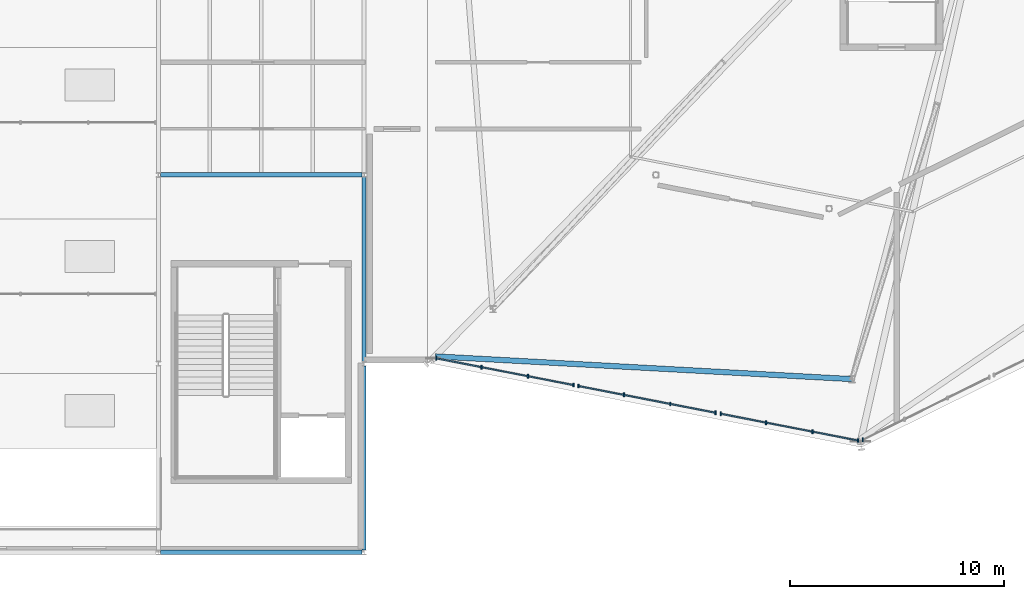
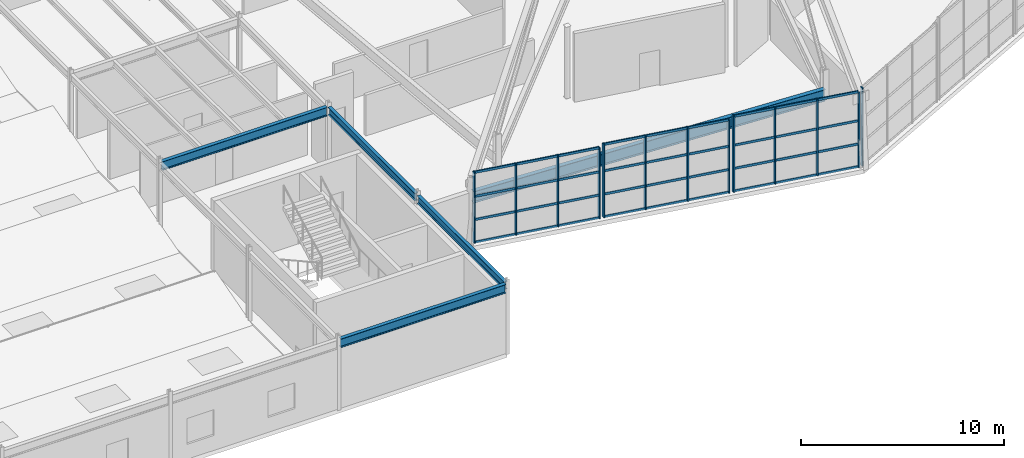
# One storey, part 13 of 50: 25 members, 5 beams, 4 elements without a shape of their own.
"""IFC4 building model written with IfcOpenShell, lengths in metres."""

from ifc_helpers import new_model, si_unit, direction, frame, origin, origin_2d, place, context, subcontext, project, spatial, rectangle, i_section, extrude, material, material_profile, profile_set, type_object, element, aggregate, save


model = new_model("IFC4")

# Units and contexts
model_context = context("Model", 3, precision=1e-05, world=origin(), true_north=direction((0.0, 1.0)))
body_context = subcontext(model_context, "Body", "Model", "MODEL_VIEW")
ifc_project = project(units=[si_unit("LENGTHUNIT", "METRE"), si_unit("AREAUNIT", "SQUARE_METRE"), si_unit("VOLUMEUNIT", "CUBIC_METRE"), si_unit("PLANEANGLEUNIT", "RADIAN"), si_unit("MASSUNIT", "GRAM", prefix="KILO")], contexts=[model_context])

# Site, building, storey
site_placement = place(None, origin())
site = spatial("IfcSite", under=ifc_project, at=site_placement, CompositionType="ELEMENT")
building_placement = place(site_placement, origin())
building = spatial("IfcBuilding", under=site, at=building_placement, Name="Sarnbrook Museum", CompositionType="ELEMENT")
storey_placement = place(building_placement, frame((0.0, 0.0, 28.10009765625)))
storey = spatial("IfcBuildingStorey", under=building, at=storey_placement, Name="L05", CompositionType="ELEMENT", Elevation=28.10009765625)

# Beams
ifc_material_1 = material(Name="Structural Steel Grade 300PLUS (AS/NZS 3679.1, fy = 280 MPa for 17 < t <= 40 mm, 300 MPa for t <= 17 mm)", Category="steel")
ifc_material_profile_1 = material_profile(ifc_material_1, i_section(OverallWidth=0.18994140625, OverallDepth=0.45703125, WebThickness=0.009033203125, FlangeThickness=0.014404296875, FilletRadius=0.011474609375, at=origin_2d()), Name="460UB74.6")
ifc_profile_set_1 = profile_set([ifc_material_profile_1], Name="Structural Steel Grade 300PLUS (AS/NZS 3679.1, fy = 280 MPa for 17 < t <= 40 mm, 300 MPa for t <= 17 mm)")
beam_type_1 = type_object("IfcBeamType", Name="BM-UB460", PredefinedType="BEAM", material=ifc_profile_set_1)
beam_1_placement = place(storey_placement, frame((119.199951171875, 56.905029296875, 4.021484375), z_axis=(0.0, 1.0, 0.0), x_axis=(-1.0, 0.0, 0.0)))
element("IfcBeam", 1, at=beam_1_placement, inside=storey, type_object=beam_type_1, Name="Girder 13:G-H L05", PredefinedType="BEAM", context=body_context, shape_type="SweptSolid", body=[
    extrude(i_section(OverallWidth=0.18994140625, OverallDepth=0.45703125, WebThickness=0.009033203125, FlangeThickness=0.014404296875, FilletRadius=0.011474609375, at=origin_2d()), origin(), (0.0, 0.0, 1.0), 8.590087890625),
])
beam_2_placement = place(storey_placement, frame((119.199951171875, 65.705078125, 4.021484375), z_axis=(0.0, 1.0, 0.0), x_axis=(-1.0, 0.0, 0.0)))
element("IfcBeam", 2, at=beam_2_placement, inside=storey, type_object=beam_type_1, Name="Girder 13:H-J L05", PredefinedType="BEAM", context=body_context, shape_type="SweptSolid", body=[
    extrude(i_section(OverallWidth=0.18994140625, OverallDepth=0.45703125, WebThickness=0.009033203125, FlangeThickness=0.014404296875, FilletRadius=0.011474609375, at=origin_2d()), origin(), (0.0, 0.0, 1.0), 8.58984375),
])
ifc_material_profile_2 = material_profile(ifc_material_1, i_section(OverallWidth=0.208984375, OverallDepth=0.532958984375, WebThickness=0.01025390625, FlangeThickness=0.015625, FilletRadius=0.013916015625, at=origin_2d()), Name="530UB92.4")
ifc_profile_set_2 = profile_set([ifc_material_profile_2], Name="Structural Steel Grade 300PLUS (AS/NZS 3679.1, fy = 280 MPa for 17 < t <= 40 mm, 300 MPa for t <= 17 mm)")
beam_type_2 = type_object("IfcBeamType", Name="BM-UB530", PredefinedType="BEAM", material=ifc_profile_set_2)
for number, where, z_axis, x_axis, name in (
    (3, (109.702392578125, 56.800048828125, 3.9833984375), (1.0, 0.0, 0.0), (0.0, 1.0, 0.0), "Girder G:12-13 L05"),
    (4, (109.702392578125, 74.39990234375, 3.9833984375), (1.0, 0.0, 0.0), (0.0, 1.0, 0.0), "Girder J:12-13 L05"),
):
    element("IfcBeam", number, at=place(storey_placement, frame(where, z_axis=z_axis, x_axis=x_axis)), inside=storey, type_object=beam_type_2, Name=name, PredefinedType="BEAM", context=body_context, shape_type="SweptSolid", body=[
        extrude(i_section(OverallWidth=0.208984375, OverallDepth=0.532958984375, WebThickness=0.01025390625, FlangeThickness=0.015625, FilletRadius=0.013916015625, at=origin_2d()), origin(), (0.0, 0.0, 1.0), 9.39501953125),
    ])
ifc_material_2 = material(Name="Structural Steel Grade 350L0 (AS/NZS 3678, fy = 340 MPa for 20 < t <= 40 mm)", Category="steel")
ifc_material_profile_3 = material_profile(ifc_material_2, i_section(OverallWidth=0.25, OverallDepth=0.699951171875, WebThickness=0.010009765625, FlangeThickness=0.01611328125, at=origin_2d()), Name="700WB130")
ifc_profile_set_3 = profile_set([ifc_material_profile_3], Name="Structural Steel Grade 350L0 (AS/NZS 3678, fy = 340 MPa for 20 < t <= 40 mm)")
beam_type_3 = type_object("IfcBeamType", Name="BM-WB700", PredefinedType="BEAM", material=ifc_profile_set_3)
beam_3_placement = place(storey_placement, frame((122.524169921875, 65.938720703125, 2.75), z_axis=(0.998511909687, -0.05453408304, 0.0), x_axis=(0.05453408304, 0.998511909687, 0.0)))
element("IfcBeam", 5, at=beam_3_placement, inside=storey, type_object=beam_type_3, Name="Crystal Roof Eaves Tie Girder ST-1", PredefinedType="BEAM", context=body_context, shape_type="SweptSolid", body=[
    extrude(i_section(OverallWidth=0.25, OverallDepth=0.699951171875, WebThickness=0.010009765625, FlangeThickness=0.01611328125, at=origin_2d()), origin(), (0.0, 0.0, 1.0), 19.4609375),
])

# Curtain wall, members
ifc_material_3 = material(Name="Thermally Broken Anodised Aluminium 6063-T6", Category="aluminium")
curtain_wall_type = type_object("IfcCurtainWallType", Name="CurtainWall_CrystalFacet", PredefinedType="NOTDEFINED", material=ifc_material_3)
curtain_wall_1_placement = place(storey_placement, origin())
curtain_wall_1 = element("IfcCurtainWall", 6, at=curtain_wall_1_placement, inside=storey, type_object=curtain_wall_type, Name="Crystal Hall Facet Curtain Wall L05-F1.1", PredefinedType="NOTDEFINED")
ifc_material_profile_4 = material_profile(ifc_material_3, rectangle(XDim=0.06494140625, YDim=0.179931640625, at=origin_2d()), Name="ALU MULLION 65x180")
ifc_profile_set_4 = profile_set([ifc_material_profile_4], Name="Thermally Broken Anodised Aluminium 6063-T6")
member_type_1 = type_object("IfcMemberType", Name="CW_Mullion_180x75", PredefinedType="MULLION", material=ifc_profile_set_4)
member_1_placement = place(storey_placement, frame((122.55908203125, 65.847412109375, 0.0), z_axis=(0.0, 0.0, 1.0), x_axis=(1.0, 0.0, 0.0)))
member_1 = element("IfcMember", 7, at=member_1_placement, type_object=member_type_1, Name="Crystal Hall Facet Curtain Wall L05-F1.1 Mullion 1", PredefinedType="MULLION", context=body_context, shape_type="SweptSolid", body=[
    extrude(rectangle(XDim=0.06494140625, YDim=0.179931640625, at=origin_2d()), origin(), (0.0, 0.0, 1.0), 4.27978515625),
])
member_2_placement = place(storey_placement, frame((124.678955078125, 65.434326171875, 0.0), z_axis=(0.0, 0.0, 1.0), x_axis=(1.0, 0.0, 0.0)))
member_2 = element("IfcMember", 8, at=member_2_placement, type_object=member_type_1, Name="Crystal Hall Facet Curtain Wall L05-F1.1 Mullion 2", PredefinedType="MULLION", context=body_context, shape_type="SweptSolid", body=[
    extrude(rectangle(XDim=0.06494140625, YDim=0.179931640625, at=origin_2d()), origin(), (0.0, 0.0, 1.0), 4.27978515625),
])
member_3_placement = place(storey_placement, frame((126.837890625, 65.013427734375, 0.0), z_axis=(0.0, 0.0, 1.0), x_axis=(1.0, 0.0, 0.0)))
member_3 = element("IfcMember", 9, at=member_3_placement, type_object=member_type_1, Name="Crystal Hall Facet Curtain Wall L05-F1.1 Mullion 3", PredefinedType="MULLION", context=body_context, shape_type="SweptSolid", body=[
    extrude(rectangle(XDim=0.06494140625, YDim=0.179931640625, at=origin_2d()), origin(), (0.0, 0.0, 1.0), 4.27978515625),
])
member_4_placement = place(storey_placement, frame((128.957763671875, 64.600341796875, 0.0), z_axis=(0.0, 0.0, 1.0), x_axis=(1.0, 0.0, 0.0)))
member_4 = element("IfcMember", 10, at=member_4_placement, type_object=member_type_1, Name="Crystal Hall Facet Curtain Wall L05-F1.1 Mullion 4", PredefinedType="MULLION", context=body_context, shape_type="SweptSolid", body=[
    extrude(rectangle(XDim=0.06494140625, YDim=0.179931640625, at=origin_2d()), origin(), (0.0, 0.0, 1.0), 4.27978515625),
])

curtain_wall_2_placement = place(storey_placement, origin())
curtain_wall_2 = element("IfcCurtainWall", 11, at=curtain_wall_2_placement, inside=storey, type_object=curtain_wall_type, Name="Crystal Hall Facet Curtain Wall L05-F1.2", PredefinedType="NOTDEFINED")
member_5_placement = place(storey_placement, frame((129.193359375, 64.554443359375, 0.0), z_axis=(0.0, 0.0, 1.0), x_axis=(1.0, 0.0, 0.0)))
member_5 = element("IfcMember", 12, at=member_5_placement, type_object=member_type_1, Name="Crystal Hall Facet Curtain Wall L05-F1.2 Mullion 1", PredefinedType="MULLION", context=body_context, shape_type="SweptSolid", body=[
    extrude(rectangle(XDim=0.06494140625, YDim=0.179931640625, at=origin_2d()), origin(), (0.0, 0.0, 1.0), 4.429931640625),
])
member_6_placement = place(storey_placement, frame((131.313232421875, 64.141357421875, 0.0), z_axis=(0.0, 0.0, 1.0), x_axis=(1.0, 0.0, 0.0)))
member_6 = element("IfcMember", 13, at=member_6_placement, type_object=member_type_1, Name="Crystal Hall Facet Curtain Wall L05-F1.2 Mullion 2", PredefinedType="MULLION", context=body_context, shape_type="SweptSolid", body=[
    extrude(rectangle(XDim=0.06494140625, YDim=0.179931640625, at=origin_2d()), origin(), (0.0, 0.0, 1.0), 4.429931640625),
])
member_7_placement = place(storey_placement, frame((133.47216796875, 63.720458984375, 0.0), z_axis=(0.0, 0.0, 1.0), x_axis=(1.0, 0.0, 0.0)))
member_7 = element("IfcMember", 14, at=member_7_placement, type_object=member_type_1, Name="Crystal Hall Facet Curtain Wall L05-F1.2 Mullion 3", PredefinedType="MULLION", context=body_context, shape_type="SweptSolid", body=[
    extrude(rectangle(XDim=0.06494140625, YDim=0.179931640625, at=origin_2d()), origin(), (0.0, 0.0, 1.0), 4.429931640625),
])
member_8_placement = place(storey_placement, frame((135.592041015625, 63.307373046875, 0.0), z_axis=(0.0, 0.0, 1.0), x_axis=(1.0, 0.0, 0.0)))
member_8 = element("IfcMember", 15, at=member_8_placement, type_object=member_type_1, Name="Crystal Hall Facet Curtain Wall L05-F1.2 Mullion 4", PredefinedType="MULLION", context=body_context, shape_type="SweptSolid", body=[
    extrude(rectangle(XDim=0.06494140625, YDim=0.179931640625, at=origin_2d()), origin(), (0.0, 0.0, 1.0), 4.429931640625),
])

curtain_wall_3_placement = place(storey_placement, origin())
curtain_wall_3 = element("IfcCurtainWall", 16, at=curtain_wall_3_placement, inside=storey, type_object=curtain_wall_type, Name="Crystal Hall Facet Curtain Wall L05-F1.3", PredefinedType="NOTDEFINED")
member_9_placement = place(storey_placement, frame((135.82763671875, 63.26123046875, 0.0), z_axis=(0.0, 0.0, 1.0), x_axis=(1.0, 0.0, 0.0)))
member_9 = element("IfcMember", 17, at=member_9_placement, type_object=member_type_1, Name="Crystal Hall Facet Curtain Wall L05-F1.3 Mullion 1", PredefinedType="MULLION", context=body_context, shape_type="SweptSolid", body=[
    extrude(rectangle(XDim=0.06494140625, YDim=0.179931640625, at=origin_2d()), origin(), (0.0, 0.0, 1.0), 4.579833984375),
])
member_10_placement = place(storey_placement, frame((137.947509765625, 62.84814453125, 0.0), z_axis=(0.0, 0.0, 1.0), x_axis=(1.0, 0.0, 0.0)))
member_10 = element("IfcMember", 18, at=member_10_placement, type_object=member_type_1, Name="Crystal Hall Facet Curtain Wall L05-F1.3 Mullion 2", PredefinedType="MULLION", context=body_context, shape_type="SweptSolid", body=[
    extrude(rectangle(XDim=0.06494140625, YDim=0.179931640625, at=origin_2d()), origin(), (0.0, 0.0, 1.0), 4.579833984375),
])
member_11_placement = place(storey_placement, frame((140.1064453125, 62.42724609375, 0.0), z_axis=(0.0, 0.0, 1.0), x_axis=(1.0, 0.0, 0.0)))
member_11 = element("IfcMember", 19, at=member_11_placement, type_object=member_type_1, Name="Crystal Hall Facet Curtain Wall L05-F1.3 Mullion 3", PredefinedType="MULLION", context=body_context, shape_type="SweptSolid", body=[
    extrude(rectangle(XDim=0.06494140625, YDim=0.179931640625, at=origin_2d()), origin(), (0.0, 0.0, 1.0), 4.579833984375),
])
member_12_placement = place(storey_placement, frame((142.226318359375, 62.01416015625, 0.0), z_axis=(0.0, 0.0, 1.0), x_axis=(1.0, 0.0, 0.0)))
member_12 = element("IfcMember", 20, at=member_12_placement, type_object=member_type_1, Name="Crystal Hall Facet Curtain Wall L05-F1.3 Mullion 4", PredefinedType="MULLION", context=body_context, shape_type="SweptSolid", body=[
    extrude(rectangle(XDim=0.06494140625, YDim=0.179931640625, at=origin_2d()), origin(), (0.0, 0.0, 1.0), 4.579833984375),
])

# Curtain wall, member
curtain_wall_4_placement = place(storey_placement, origin())
curtain_wall_4 = element("IfcCurtainWall", 21, at=curtain_wall_4_placement, inside=storey, type_object=curtain_wall_type, Name="Crystal Hall Facet Curtain Wall L05-F2.1", PredefinedType="NOTDEFINED")
member_13_placement = place(storey_placement, frame((142.45166015625, 62.04443359375, 0.0), z_axis=(0.0, 0.0, 1.0), x_axis=(1.0, 0.0, 0.0)))
member_13 = element("IfcMember", 22, at=member_13_placement, type_object=member_type_1, Name="Crystal Hall Facet Curtain Wall L05-F2.1 Mullion 1", PredefinedType="MULLION", context=body_context, shape_type="SweptSolid", body=[
    extrude(rectangle(XDim=0.06494140625, YDim=0.179931640625, at=origin_2d()), origin(), (0.0, 0.0, 1.0), 4.72998046875),
])
aggregate(curtain_wall_4, [member_13])

# Member
ifc_material_profile_5 = material_profile(ifc_material_3, rectangle(XDim=0.06494140625, YDim=0.139892578125, at=origin_2d()), Name="ALU TRANSOM 65x140")
ifc_profile_set_5 = profile_set([ifc_material_profile_5], Name="Thermally Broken Anodised Aluminium 6063-T6")
member_type_2 = type_object("IfcMemberType", Name="CW_Transom_150x65", PredefinedType="USERDEFINED", material=ifc_profile_set_5)
member_14_placement = place(storey_placement, frame((122.56884765625, 65.845703125, 0.039794921875), z_axis=(0.981528288391, -0.191317064288, 0.0), x_axis=(0.191317064288, 0.981528288391, 0.0)))
member_14 = element("IfcMember", 23, at=member_14_placement, type_object=member_type_2, Name="Crystal Hall Facet Curtain Wall L05-F1.1 Transom 1", ObjectType="TRANSOM", PredefinedType="USERDEFINED", context=body_context, shape_type="SweptSolid", body=[
    extrude(rectangle(XDim=0.06494140625, YDim=0.139892578125, at=origin_2d()), origin(), (0.0, 0.0, 1.0), 6.499267578125),
])

member_15_placement = place(storey_placement, frame((122.56884765625, 65.845703125, 1.39990234375), z_axis=(0.981528288391, -0.191317064288, 0.0), x_axis=(0.191317064288, 0.981528288391, 0.0)))
member_15 = element("IfcMember", 24, at=member_15_placement, type_object=member_type_2, Name="Crystal Hall Facet Curtain Wall L05-F1.1 Transom 2", ObjectType="TRANSOM", PredefinedType="USERDEFINED", context=body_context, shape_type="SweptSolid", body=[
    extrude(rectangle(XDim=0.06494140625, YDim=0.139892578125, at=origin_2d()), origin(), (0.0, 0.0, 1.0), 6.499267578125),
])

member_16_placement = place(storey_placement, frame((122.56884765625, 65.845703125, 2.7998046875), z_axis=(0.981528288391, -0.191317064288, 0.0), x_axis=(0.191317064288, 0.981528288391, 0.0)))
member_16 = element("IfcMember", 25, at=member_16_placement, type_object=member_type_2, Name="Crystal Hall Facet Curtain Wall L05-F1.1 Transom 3", ObjectType="TRANSOM", PredefinedType="USERDEFINED", context=body_context, shape_type="SweptSolid", body=[
    extrude(rectangle(XDim=0.06494140625, YDim=0.139892578125, at=origin_2d()), origin(), (0.0, 0.0, 1.0), 6.499267578125),
])

member_17_placement = place(storey_placement, frame((122.56884765625, 65.845703125, 4.239990234375), z_axis=(0.981528288391, -0.191317064288, 0.0), x_axis=(0.191317064288, 0.981528288391, 0.0)))
member_17 = element("IfcMember", 26, at=member_17_placement, type_object=member_type_2, Name="Crystal Hall Facet Curtain Wall L05-F1.1 Transom 4", ObjectType="TRANSOM", PredefinedType="USERDEFINED", context=body_context, shape_type="SweptSolid", body=[
    extrude(rectangle(XDim=0.06494140625, YDim=0.139892578125, at=origin_2d()), origin(), (0.0, 0.0, 1.0), 6.499267578125),
])

aggregate(curtain_wall_1, [member_1, member_2, member_3, member_4, member_14, member_15, member_16, member_17])

member_18_placement = place(storey_placement, frame((129.203125, 64.552490234375, 0.039794921875), z_axis=(0.981528288391, -0.191317064288, 0.0), x_axis=(0.191317064288, 0.981528288391, 0.0)))
member_18 = element("IfcMember", 27, at=member_18_placement, type_object=member_type_2, Name="Crystal Hall Facet Curtain Wall L05-F1.2 Transom 1", ObjectType="TRANSOM", PredefinedType="USERDEFINED", context=body_context, shape_type="SweptSolid", body=[
    extrude(rectangle(XDim=0.06494140625, YDim=0.139892578125, at=origin_2d()), origin(), (0.0, 0.0, 1.0), 6.499267578125),
])

member_19_placement = place(storey_placement, frame((129.203125, 64.552490234375, 1.39990234375), z_axis=(0.981528288391, -0.191317064288, 0.0), x_axis=(0.191317064288, 0.981528288391, 0.0)))
member_19 = element("IfcMember", 28, at=member_19_placement, type_object=member_type_2, Name="Crystal Hall Facet Curtain Wall L05-F1.2 Transom 2", ObjectType="TRANSOM", PredefinedType="USERDEFINED", context=body_context, shape_type="SweptSolid", body=[
    extrude(rectangle(XDim=0.06494140625, YDim=0.139892578125, at=origin_2d()), origin(), (0.0, 0.0, 1.0), 6.499267578125),
])

member_20_placement = place(storey_placement, frame((129.203125, 64.552490234375, 2.7998046875), z_axis=(0.981528288391, -0.191317064288, 0.0), x_axis=(0.191317064288, 0.981528288391, 0.0)))
member_20 = element("IfcMember", 29, at=member_20_placement, type_object=member_type_2, Name="Crystal Hall Facet Curtain Wall L05-F1.2 Transom 3", ObjectType="TRANSOM", PredefinedType="USERDEFINED", context=body_context, shape_type="SweptSolid", body=[
    extrude(rectangle(XDim=0.06494140625, YDim=0.139892578125, at=origin_2d()), origin(), (0.0, 0.0, 1.0), 6.499267578125),
])

member_21_placement = place(storey_placement, frame((129.203125, 64.552490234375, 4.389892578125), z_axis=(0.981528288391, -0.191317064288, 0.0), x_axis=(0.191317064288, 0.981528288391, 0.0)))
member_21 = element("IfcMember", 30, at=member_21_placement, type_object=member_type_2, Name="Crystal Hall Facet Curtain Wall L05-F1.2 Transom 4", ObjectType="TRANSOM", PredefinedType="USERDEFINED", context=body_context, shape_type="SweptSolid", body=[
    extrude(rectangle(XDim=0.06494140625, YDim=0.139892578125, at=origin_2d()), origin(), (0.0, 0.0, 1.0), 6.499267578125),
])

aggregate(curtain_wall_2, [member_5, member_6, member_7, member_8, member_18, member_19, member_20, member_21])

member_22_placement = place(storey_placement, frame((135.83740234375, 63.259521484375, 0.039794921875), z_axis=(0.981528288391, -0.191317064288, 0.0), x_axis=(0.191317064288, 0.981528288391, 0.0)))
member_22 = element("IfcMember", 31, at=member_22_placement, type_object=member_type_2, Name="Crystal Hall Facet Curtain Wall L05-F1.3 Transom 1", ObjectType="TRANSOM", PredefinedType="USERDEFINED", context=body_context, shape_type="SweptSolid", body=[
    extrude(rectangle(XDim=0.06494140625, YDim=0.139892578125, at=origin_2d()), origin(), (0.0, 0.0, 1.0), 6.499267578125),
])

member_23_placement = place(storey_placement, frame((135.83740234375, 63.259521484375, 1.39990234375), z_axis=(0.981528288391, -0.191317064288, 0.0), x_axis=(0.191317064288, 0.981528288391, 0.0)))
member_23 = element("IfcMember", 32, at=member_23_placement, type_object=member_type_2, Name="Crystal Hall Facet Curtain Wall L05-F1.3 Transom 2", ObjectType="TRANSOM", PredefinedType="USERDEFINED", context=body_context, shape_type="SweptSolid", body=[
    extrude(rectangle(XDim=0.06494140625, YDim=0.139892578125, at=origin_2d()), origin(), (0.0, 0.0, 1.0), 6.499267578125),
])

member_24_placement = place(storey_placement, frame((135.83740234375, 63.259521484375, 2.7998046875), z_axis=(0.981528288391, -0.191317064288, 0.0), x_axis=(0.191317064288, 0.981528288391, 0.0)))
member_24 = element("IfcMember", 33, at=member_24_placement, type_object=member_type_2, Name="Crystal Hall Facet Curtain Wall L05-F1.3 Transom 3", ObjectType="TRANSOM", PredefinedType="USERDEFINED", context=body_context, shape_type="SweptSolid", body=[
    extrude(rectangle(XDim=0.06494140625, YDim=0.139892578125, at=origin_2d()), origin(), (0.0, 0.0, 1.0), 6.499267578125),
])

member_25_placement = place(storey_placement, frame((135.83740234375, 63.259521484375, 4.539794921875), z_axis=(0.981528288391, -0.191317064288, 0.0), x_axis=(0.191317064288, 0.981528288391, 0.0)))
member_25 = element("IfcMember", 34, at=member_25_placement, type_object=member_type_2, Name="Crystal Hall Facet Curtain Wall L05-F1.3 Transom 4", ObjectType="TRANSOM", PredefinedType="USERDEFINED", context=body_context, shape_type="SweptSolid", body=[
    extrude(rectangle(XDim=0.06494140625, YDim=0.139892578125, at=origin_2d()), origin(), (0.0, 0.0, 1.0), 6.499267578125),
])

aggregate(curtain_wall_3, [member_9, member_10, member_11, member_12, member_22, member_23, member_24, member_25])

save(model, "model.ifc")
